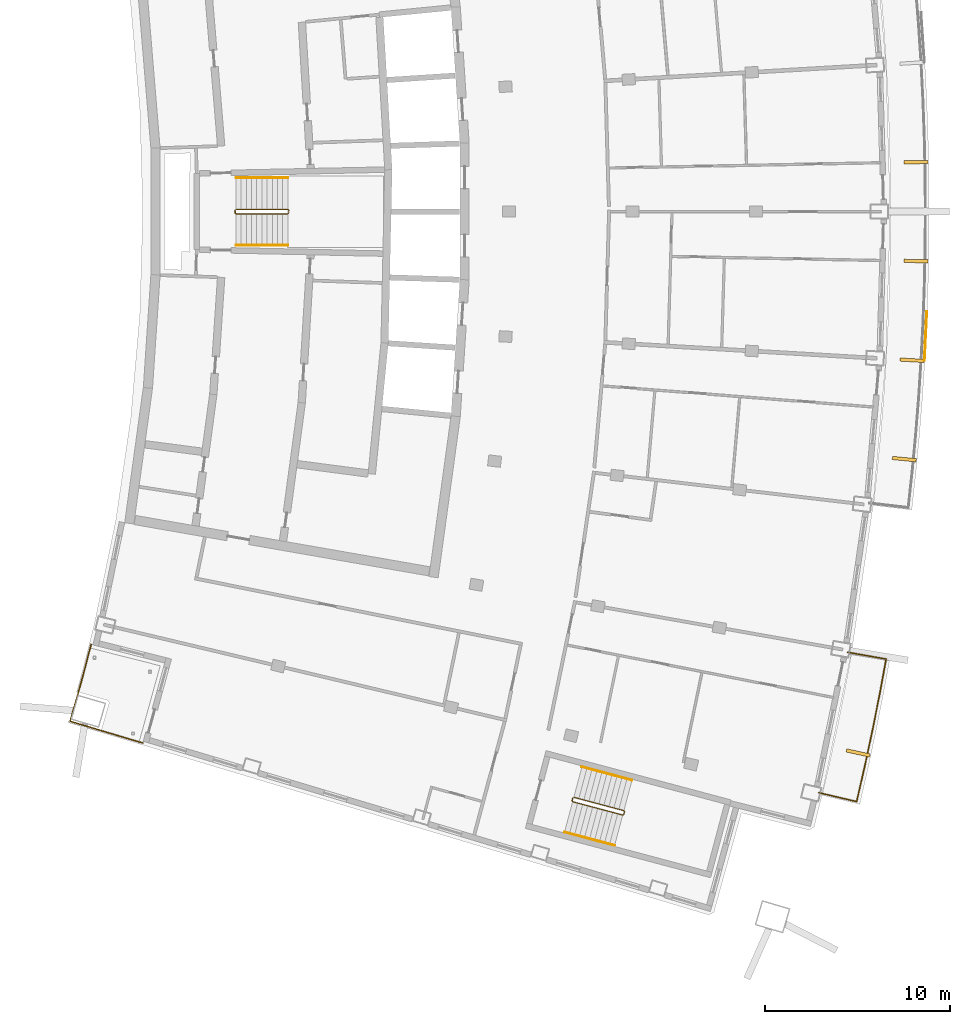
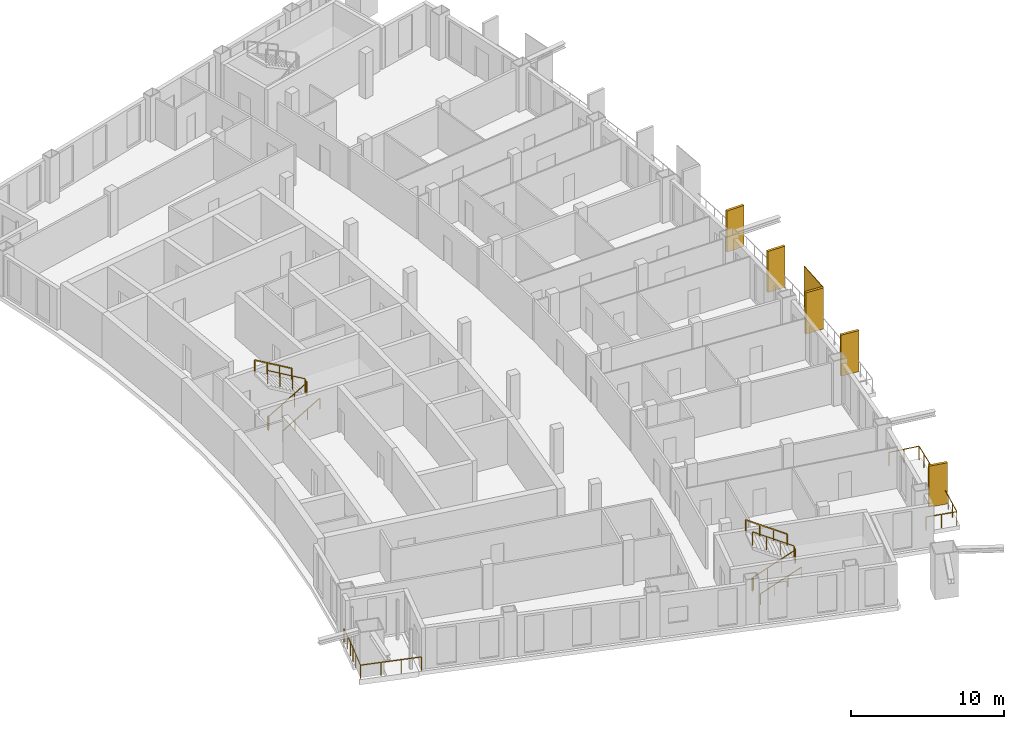
# One storey, part 13 of 15: 8 railings, 6 shading devices.
"""IFC4 building model written with IfcOpenShell, lengths in metres."""

from ifc_helpers import new_model, si_unit, direction, frame, origin, origin_with_axes, origin_2d, place, context, subcontext, project, spatial, rectangle, extrude, material, layer, layer_set, type_object, element, save


model = new_model("IFC4")

# Units and contexts
model_context = context("Model", 3, precision=1e-05, world=origin(), true_north=direction((0.0, 1.0)))
body_context = subcontext(model_context, "Body", "Model", "MODEL_VIEW")
ifc_project = project(units=[si_unit("LENGTHUNIT", "METRE"), si_unit("AREAUNIT", "SQUARE_METRE"), si_unit("VOLUMEUNIT", "CUBIC_METRE"), si_unit("PLANEANGLEUNIT", "RADIAN"), si_unit("MASSUNIT", "GRAM", prefix="KILO")], contexts=[model_context])

# Site, building, storey
site_placement = place(None, origin())
site = spatial("IfcSite", under=ifc_project, at=site_placement, CompositionType="ELEMENT")
building_placement = place(site_placement, origin())
building = spatial("IfcBuilding", under=site, at=building_placement, Name="Alderwake Tower", CompositionType="ELEMENT")
storey_placement = place(building_placement, frame((0.0, 0.0, 285.199951171875)))
storey = spatial("IfcBuildingStorey", under=building, at=storey_placement, Name="L71", CompositionType="ELEMENT", Elevation=285.199951171875)

# Railings
ifc_material_1 = material(Name="Stainless steel 316 rail and posts", Category="steel")
railing_type_1 = type_object("IfcRailingType", Name="Balcony guard 1100", PredefinedType="GUARDRAIL", material=ifc_material_1)
railing_1_placement = place(storey_placement, frame((52.531982421875, 29.603515625, 0.0)))
element("IfcRailing", 1, at=railing_1_placement, inside=storey, type_object=railing_type_1, Name="Guard BF03", PredefinedType="GUARDRAIL", context=body_context, shape_type="SweptSolid", body=[
    extrude(rectangle(XDim=0.048095703125, YDim=0.048095703125, at=origin_2d()), frame((0.0, 0.0, 1.076171875), z_axis=(0.973057638874, -0.230561990427, 0.0), x_axis=(0.230561990427, 0.973057638874, 0.0)), (0.0, 0.0, 1.0), 2.099853515625),
    extrude(rectangle(XDim=0.048095703125, YDim=0.048095703125, at=origin_2d()), frame((2.043212890625, -0.484130859375, 1.076171875), z_axis=(0.223789603838, 0.974637477842, 0.0), x_axis=(-0.974637477842, 0.223789603838, 0.0)), (0.0, 0.0, 1.0), 1.916748046875),
    extrude(rectangle(XDim=0.048095703125, YDim=0.048095703125, at=origin_2d()), frame((2.47216796875, 1.384033203125, 1.076171875), z_axis=(0.20990108156, 0.977722627313, 0.0), x_axis=(-0.977722627313, 0.20990108156, 0.0)), (0.0, 0.0, 1.0), 2.016845703125),
    extrude(rectangle(XDim=0.048095703125, YDim=0.048095703125, at=origin_2d()), frame((2.8955078125, 3.35595703125, 1.076171875), z_axis=(0.195604007271, 0.980682962195, 0.0), x_axis=(-0.980682962195, 0.195604007271, 0.0)), (0.0, 0.0, 1.0), 2.01708984375),
    extrude(rectangle(XDim=0.048095703125, YDim=0.048095703125, at=origin_2d()), frame((3.2900390625, 5.333984375, 1.076171875), z_axis=(0.181619483168, 0.983368884668, 0.0), x_axis=(-0.983368884668, 0.181619483168, 0.0)), (0.0, 0.0, 1.0), 1.9169921875),
    extrude(rectangle(XDim=0.048095703125, YDim=0.048095703125, at=origin_2d()), frame((3.63818359375, 7.218994140625, 1.076171875), z_axis=(-0.984614556243, 0.174740309131, 0.0), x_axis=(-0.174740309131, -0.984614556243, 0.0)), (0.0, 0.0, 1.0), 2.099853515625),
    extrude(rectangle(XDim=0.0419921875, YDim=0.0419921875, at=origin_2d()), frame((0.0, 0.0, 0.0), z_axis=(0.0, 0.0, 1.0), x_axis=(0.973057638874, -0.230561990427, 0.0)), (0.0, 0.0, 1.0), 1.052001953125),
    extrude(rectangle(XDim=0.0419921875, YDim=0.0419921875, at=origin_2d()), frame((1.021484375, -0.2421875, 0.0), z_axis=(0.0, 0.0, 1.0), x_axis=(0.973057638874, -0.230561990427, 0.0)), (0.0, 0.0, 1.0), 1.052001953125),
    extrude(rectangle(XDim=0.0419921875, YDim=0.0419921875, at=origin_2d()), frame((2.043212890625, -0.484130859375, 0.0), z_axis=(0.0, 0.0, 1.0), x_axis=(0.223789603838, 0.974637477842, 0.0)), (0.0, 0.0, 1.0), 1.052001953125),
    extrude(rectangle(XDim=0.0419921875, YDim=0.0419921875, at=origin_2d()), frame((2.2578125, 0.449951171875, 0.0), z_axis=(0.0, 0.0, 1.0), x_axis=(0.223789603838, 0.974637477842, 0.0)), (0.0, 0.0, 1.0), 1.052001953125),
    extrude(rectangle(XDim=0.0419921875, YDim=0.0419921875, at=origin_2d()), frame((2.47216796875, 1.384033203125, 0.0), z_axis=(0.0, 0.0, 1.0), x_axis=(0.20990108156, 0.977722627313, 0.0)), (0.0, 0.0, 1.0), 1.052001953125),
    extrude(rectangle(XDim=0.0419921875, YDim=0.0419921875, at=origin_2d()), frame((2.683837890625, 2.3701171875, 0.0), z_axis=(0.0, 0.0, 1.0), x_axis=(0.20990108156, 0.977722627313, 0.0)), (0.0, 0.0, 1.0), 1.052001953125),
    extrude(rectangle(XDim=0.0419921875, YDim=0.0419921875, at=origin_2d()), frame((2.8955078125, 3.35595703125, 0.0), z_axis=(0.0, 0.0, 1.0), x_axis=(0.195604007271, 0.980682962195, 0.0)), (0.0, 0.0, 1.0), 1.052001953125),
    extrude(rectangle(XDim=0.0419921875, YDim=0.0419921875, at=origin_2d()), frame((3.0927734375, 4.344970703125, 0.0), z_axis=(0.0, 0.0, 1.0), x_axis=(0.195604007271, 0.980682962195, 0.0)), (0.0, 0.0, 1.0), 1.052001953125),
    extrude(rectangle(XDim=0.0419921875, YDim=0.0419921875, at=origin_2d()), frame((3.2900390625, 5.333984375, 0.0), z_axis=(0.0, 0.0, 1.0), x_axis=(0.181619483168, 0.983368884668, 0.0)), (0.0, 0.0, 1.0), 1.052001953125),
    extrude(rectangle(XDim=0.0419921875, YDim=0.0419921875, at=origin_2d()), frame((3.464111328125, 6.2763671875, 0.0), z_axis=(0.0, 0.0, 1.0), x_axis=(0.181619483168, 0.983368884668, 0.0)), (0.0, 0.0, 1.0), 1.052001953125),
    extrude(rectangle(XDim=0.0419921875, YDim=0.0419921875, at=origin_2d()), frame((3.63818359375, 7.218994140625, 0.0), z_axis=(0.0, 0.0, 1.0), x_axis=(-0.984614556243, 0.174740309131, 0.0)), (0.0, 0.0, 1.0), 1.052001953125),
    extrude(rectangle(XDim=0.0419921875, YDim=0.0419921875, at=origin_2d()), frame((2.6044921875, 7.40234375, 0.0), z_axis=(0.0, 0.0, 1.0), x_axis=(-0.984614556243, 0.174740309131, 0.0)), (0.0, 0.0, 1.0), 1.052001953125),
    extrude(rectangle(XDim=0.0419921875, YDim=0.0419921875, at=origin_2d()), frame((1.570556640625, 7.5859375, 0.0), z_axis=(0.0, 0.0, 1.0), x_axis=(-0.984614556243, 0.174740309131, 0.0)), (0.0, 0.0, 1.0), 1.052001953125),
])
railing_2_placement = place(storey_placement, frame((13.210693359375, 37.612548828125, 0.0)))
element("IfcRailing", 2, at=railing_2_placement, inside=storey, type_object=railing_type_1, Name="Guard terrace RS", PredefinedType="GUARDRAIL", context=body_context, shape_type="SweptSolid", body=[
    extrude(rectangle(XDim=0.048095703125, YDim=0.048095703125, at=origin_2d()), frame((0.0, 0.0, 1.076171875), z_axis=(-0.251385381433, -0.967887075026, 0.0), x_axis=(0.967887075026, -0.251385381433, 0.0)), (0.0, 0.0, 1.0), 1.6015625),
    extrude(rectangle(XDim=0.048095703125, YDim=0.048095703125, at=origin_2d()), frame((-0.402587890625, -1.550048828125, 1.076171875), z_axis=(-0.266520638672, -0.963829211615, 0.0), x_axis=(0.963829211615, -0.266520638672, 0.0)), (0.0, 0.0, 1.0), 1.401611328125),
    extrude(rectangle(XDim=0.048095703125, YDim=0.048095703125, at=origin_2d()), frame((-0.776123046875, -2.90087890625, 1.076171875), z_axis=(-0.280093650878, -0.959972680204, 0.0), x_axis=(0.959972680204, -0.280093650878, 0.0)), (0.0, 0.0, 1.0), 1.30126953125),
    extrude(rectangle(XDim=0.048095703125, YDim=0.048095703125, at=origin_2d()), frame((-1.140625, -4.150146484375, 1.076171875), z_axis=(0.958066871889, -0.286544706789, 0.0), x_axis=(0.286544706789, 0.958066871889, 0.0)), (0.0, 0.0, 1.0), 4.099853515625),
    extrude(rectangle(XDim=0.0419921875, YDim=0.0419921875, at=origin_2d()), frame((0.0, 0.0, 0.0), z_axis=(0.0, 0.0, 1.0), x_axis=(-0.251385381433, -0.967887075026, 0.0)), (0.0, 0.0, 1.0), 1.052001953125),
    extrude(rectangle(XDim=0.0419921875, YDim=0.0419921875, at=origin_2d()), frame((-0.201171875, -0.77490234375, 0.0), z_axis=(0.0, 0.0, 1.0), x_axis=(-0.251385381433, -0.967887075026, 0.0)), (0.0, 0.0, 1.0), 1.052001953125),
    extrude(rectangle(XDim=0.0419921875, YDim=0.0419921875, at=origin_2d()), frame((-0.402587890625, -1.550048828125, 0.0), z_axis=(0.0, 0.0, 1.0), x_axis=(-0.266520638672, -0.963829211615, 0.0)), (0.0, 0.0, 1.0), 1.052001953125),
    extrude(rectangle(XDim=0.0419921875, YDim=0.0419921875, at=origin_2d()), frame((-0.58935546875, -2.2255859375, 0.0), z_axis=(0.0, 0.0, 1.0), x_axis=(-0.266520638672, -0.963829211615, 0.0)), (0.0, 0.0, 1.0), 1.052001953125),
    extrude(rectangle(XDim=0.0419921875, YDim=0.0419921875, at=origin_2d()), frame((-0.776123046875, -2.90087890625, 0.0), z_axis=(0.0, 0.0, 1.0), x_axis=(-0.280093650878, -0.959972680204, 0.0)), (0.0, 0.0, 1.0), 1.052001953125),
    extrude(rectangle(XDim=0.0419921875, YDim=0.0419921875, at=origin_2d()), frame((-1.140625, -4.150146484375, 0.0), z_axis=(0.0, 0.0, 1.0), x_axis=(0.958066871889, -0.286544706789, 0.0)), (0.0, 0.0, 1.0), 1.052001953125),
    extrude(rectangle(XDim=0.0419921875, YDim=0.0419921875, at=origin_2d()), frame((0.168701171875, -4.541748046875, 0.0), z_axis=(0.0, 0.0, 1.0), x_axis=(0.958066871889, -0.286544706789, 0.0)), (0.0, 0.0, 1.0), 1.052001953125),
    extrude(rectangle(XDim=0.0419921875, YDim=0.0419921875, at=origin_2d()), frame((1.47802734375, -4.933349609375, 0.0), z_axis=(0.0, 0.0, 1.0), x_axis=(0.958066871889, -0.286544706789, 0.0)), (0.0, 0.0, 1.0), 1.052001953125),
    extrude(rectangle(XDim=0.0419921875, YDim=0.0419921875, at=origin_2d()), frame((2.787353515625, -5.324951171875, 0.0), z_axis=(0.0, 0.0, 1.0), x_axis=(0.958066871889, -0.286544706789, 0.0)), (0.0, 0.0, 1.0), 1.052001953125),
])

# Shading devices
ifc_material_2 = material(Name="Bronze anodised aluminium", Category="aluminium")
ifc_layer_1 = layer(ifc_material_2, 0.179931640625)
ifc_layer_set_1 = layer_set([ifc_layer_1], Name="Facade fin 1300")
shading_device_type_1 = type_object("IfcShadingDeviceType", Name="Facade fin 1300", PredefinedType="USERDEFINED", material=ifc_layer_set_1)
for number, where, z_axis, x_axis, name in (
    (3, (54.65966796875, 31.748779296875, 0.0), (0.0, 0.0, 1.0), (0.977210363881, -0.212273184185, 0.0), "Fin"),
    (4, (57.149658203125, 47.626953125, 0.0), (0.0, 0.0, 1.0), (0.995279882363, -0.097046152751, 0.0), "Fin"),
    (5, (57.56591796875, 52.970703125, 0.0), (0.0, 0.0, 1.0), (0.998301080988, -0.058266214038, 0.0), "Fin"),
    (6, (57.774169921875, 58.326904296875, 0.0), (0.0, 0.0, 1.0), (0.999811838809, -0.019398117887, 0.0), "Fin"),
    (7, (57.774169921875, 63.673095703125, 0.0), (0.0, 0.0, 1.0), (0.999811838809, 0.019398117887, 0.0), "Fin"),
):
    element("IfcShadingDevice", number, at=place(storey_placement, frame(where, z_axis=z_axis, x_axis=x_axis)), inside=storey, type_object=shading_device_type_1, Name=name, ObjectType="FIN", PredefinedType="USERDEFINED", context=body_context, shape_type="SweptSolid", body=[
        extrude(rectangle(XDim=1.300048828125, YDim=0.179931640625, at=origin_2d()), origin(), (0.0, 0.0, 1.0), 3.280029296875),
    ])
ifc_material_3 = material(Name="Perforated bronze anodised aluminium", Category="aluminium")
ifc_layer_2 = layer(ifc_material_3, 0.050048828125)
ifc_layer_set_2 = layer_set([ifc_layer_2], Name="Perforated screen panel")
shading_device_type_2 = type_object("IfcShadingDeviceType", Name="Perforated screen panel", PredefinedType="USERDEFINED", material=ifc_layer_set_2)
shading_device_placement = place(storey_placement, frame((58.304931640625, 54.273193359375, 0.0), z_axis=(0.0, 0.0, 1.0), x_axis=(0.998819231138, -0.048581308217, 0.0)))
element("IfcShadingDevice", 8, at=shading_device_placement, inside=storey, type_object=shading_device_type_2, Name="Screen panel", ObjectType="SCREEN", PredefinedType="USERDEFINED", context=body_context, shape_type="SweptSolid", body=[
    extrude(rectangle(XDim=0.050048828125, YDim=2.686279296875, at=origin_2d()), origin(), (0.0, 0.0, 1.0), 3.280029296875),
])

# Railings
ifc_material_4 = material(Name="Stainless steel guard", Category="steel")
railing_type_2 = type_object("IfcRailingType", Name="Stair guard 1100", PredefinedType="GUARDRAIL", material=ifc_material_4)
railing_3_placement = place(storey_placement, frame((20.989990234375, 60.925048828125, 0.0)))
element("IfcRailing", 9, at=railing_3_placement, inside=storey, type_object=railing_type_2, Name="L71 ST-B stair guard 1", PredefinedType="GUARDRAIL", context=body_context, shape_type="SweptSolid", body=[
    extrude(rectangle(XDim=0.048095703125, YDim=0.048095703125, at=origin_2d()), frame((0.0, 0.0, 1.076171875), z_axis=(0.0, 1.0, 0.0), x_axis=(-1.0, 0.0, 0.0)), (0.0, 0.0, 1.0), 0.14990234375),
    extrude(rectangle(XDim=0.048095703125, YDim=0.048095703125, at=origin_2d()), frame((0.0, 0.14990234375, 1.076171875), z_axis=(0.190199549216, -0.759870394187, 0.621627795), x_axis=(0.970072785993, 0.242814311512, 0.0)), (0.0, 0.0, 1.0), 0.26318359375),
    extrude(rectangle(XDim=0.048095703125, YDim=0.048095703125, at=origin_2d()), frame((0.050048828125, -0.050048828125, 1.23974609375), z_axis=(0.863360870873, 0.0, 0.504586966384), x_axis=(0.0, 1.0, 0.0)), (0.0, 0.0, 1.0), 3.2431640625),
    extrude(rectangle(XDim=0.048095703125, YDim=0.048095703125, at=origin_2d()), frame((2.85009765625, -0.050048828125, 2.8759765625), z_axis=(0.705375805398, 0.708833529934, 0.0), x_axis=(-0.708833529934, 0.705375805398, 0.0)), (0.0, 0.0, 1.0), 0.070556640625),
    extrude(rectangle(XDim=0.048095703125, YDim=0.048095703125, at=origin_2d()), frame((2.89990234375, 0.0, 2.8759765625), z_axis=(0.0, 1.0, 0.0), x_axis=(-1.0, 0.0, 0.0)), (0.0, 0.0, 1.0), 0.14990234375),
    extrude(rectangle(XDim=0.048095703125, YDim=0.048095703125, at=origin_2d()), frame((2.89990234375, 0.14990234375, 2.8759765625), z_axis=(-0.279546231943, 0.280916556609, 0.91811752648), x_axis=(-0.708833529934, -0.705375805398, 0.0)), (0.0, 0.0, 1.0), 0.17822265625),
    extrude(rectangle(XDim=0.048095703125, YDim=0.048095703125, at=origin_2d()), frame((2.85009765625, 0.199951171875, 3.03955078125), z_axis=(-0.863360870873, 0.0, 0.504586966384), x_axis=(0.0, -1.0, 0.0)), (0.0, 0.0, 1.0), 3.2431640625),
    extrude(rectangle(XDim=0.0419921875, YDim=0.0419921875, at=origin_2d()), frame((0.0, 0.0, 0.0), z_axis=(0.0, 0.0, 1.0), x_axis=(0.0, 1.0, 0.0)), (0.0, 0.0, 1.0), 1.052001953125),
    extrude(rectangle(XDim=0.0419921875, YDim=0.0419921875, at=origin_2d()), frame((0.0, 0.14990234375, 0.0), z_axis=(0.0, 0.0, 1.0), x_axis=(0.242814311512, -0.970072785993, 0.0)), (0.0, 0.0, 1.0), 1.052001953125),
    extrude(rectangle(XDim=0.0419921875, YDim=0.0419921875, at=origin_2d()), frame((0.050048828125, -0.050048828125, 0.16357421875), z_axis=(0.0, 0.0, 1.0), x_axis=(1.0, 0.0, 0.0)), (0.0, 0.0, 1.0), 1.052001953125),
    extrude(rectangle(XDim=0.0419921875, YDim=0.0419921875, at=origin_2d()), frame((0.9833984375, -0.050048828125, 0.708984375), z_axis=(0.0, 0.0, 1.0), x_axis=(1.0, 0.0, 0.0)), (0.0, 0.0, 1.0), 1.052001953125),
    extrude(rectangle(XDim=0.0419921875, YDim=0.0419921875, at=origin_2d()), frame((1.916748046875, -0.050048828125, 1.254638671875), z_axis=(0.0, 0.0, 1.0), x_axis=(1.0, 0.0, 0.0)), (0.0, 0.0, 1.0), 1.052001953125),
    extrude(rectangle(XDim=0.0419921875, YDim=0.0419921875, at=origin_2d()), frame((2.85009765625, -0.050048828125, 1.800048828125), z_axis=(0.0, 0.0, 1.0), x_axis=(0.705375805398, 0.708833529934, 0.0)), (0.0, 0.0, 1.0), 1.052001953125),
    extrude(rectangle(XDim=0.0419921875, YDim=0.0419921875, at=origin_2d()), frame((2.89990234375, 0.0, 1.800048828125), z_axis=(0.0, 0.0, 1.0), x_axis=(0.0, 1.0, 0.0)), (0.0, 0.0, 1.0), 1.052001953125),
    extrude(rectangle(XDim=0.0419921875, YDim=0.0419921875, at=origin_2d()), frame((2.89990234375, 0.14990234375, 1.800048828125), z_axis=(0.0, 0.0, 1.0), x_axis=(-0.705375805398, 0.708833529934, 0.0)), (0.0, 0.0, 1.0), 1.052001953125),
    extrude(rectangle(XDim=0.0419921875, YDim=0.0419921875, at=origin_2d()), frame((2.85009765625, 0.199951171875, 1.963623046875), z_axis=(0.0, 0.0, 1.0), x_axis=(-1.0, 0.0, 0.0)), (0.0, 0.0, 1.0), 1.052001953125),
    extrude(rectangle(XDim=0.0419921875, YDim=0.0419921875, at=origin_2d()), frame((1.916748046875, 0.199951171875, 2.509033203125), z_axis=(0.0, 0.0, 1.0), x_axis=(-1.0, 0.0, 0.0)), (0.0, 0.0, 1.0), 1.052001953125),
    extrude(rectangle(XDim=0.0419921875, YDim=0.0419921875, at=origin_2d()), frame((0.9833984375, 0.199951171875, 3.0546875), z_axis=(0.0, 0.0, 1.0), x_axis=(-1.0, 0.0, 0.0)), (0.0, 0.0, 1.0), 1.052001953125),
    extrude(rectangle(XDim=0.0419921875, YDim=0.0419921875, at=origin_2d()), frame((0.050048828125, 0.199951171875, 3.60009765625), z_axis=(0.0, 0.0, 1.0), x_axis=(-1.0, 0.0, 0.0)), (0.0, 0.0, 1.0), 1.052001953125),
])
railing_4_placement = place(storey_placement, frame((39.1943359375, 29.17431640625, 0.0)))
element("IfcRailing", 10, at=railing_4_placement, inside=storey, type_object=railing_type_2, Name="L71 ST-C stair guard 1", PredefinedType="GUARDRAIL", context=body_context, shape_type="SweptSolid", body=[
    extrude(rectangle(XDim=0.048095703125, YDim=0.048095703125, at=origin_2d()), frame((0.0, 0.0, 1.076171875), z_axis=(0.257459803502, 0.966289009345, 0.0), x_axis=(-0.966289009345, 0.257459803502, 0.0)), (0.0, 0.0, 1.0), 0.14990234375),
    extrude(rectangle(XDim=0.048095703125, YDim=0.048095703125, at=origin_2d()), frame((0.03857421875, 0.144775390625, 1.076171875), z_axis=(-0.012062893862, -0.783160186125, 0.621702991355), x_axis=(0.999881397308, -0.015401016783, 0.0)), (0.0, 0.0, 1.0), 0.26318359375),
    extrude(rectangle(XDim=0.048095703125, YDim=0.048095703125, at=origin_2d()), frame((0.035400390625, -0.061279296875, 1.23974609375), z_axis=(0.834281824786, -0.222214197128, 0.504573768072), x_axis=(0.257380452725, 0.966310148221, 0.0)), (0.0, 0.0, 1.0), 3.2431640625),
    extrude(rectangle(XDim=0.048095703125, YDim=0.048095703125, at=origin_2d()), frame((2.7412109375, -0.781982421875, 2.8759765625), z_axis=(0.865031189262, 0.501718089772, 0.0), x_axis=(-0.501718089772, 0.865031189262, 0.0)), (0.0, 0.0, 1.0), 0.070556640625),
    extrude(rectangle(XDim=0.048095703125, YDim=0.048095703125, at=origin_2d()), frame((2.80224609375, -0.74658203125, 2.8759765625), z_axis=(0.257055032184, 0.966396766566, 0.0), x_axis=(-0.966396766566, 0.257055032184, 0.0)), (0.0, 0.0, 1.0), 0.150146484375),
    extrude(rectangle(XDim=0.048095703125, YDim=0.048095703125, at=origin_2d()), frame((2.8408203125, -0.6015625, 2.8759765625), z_axis=(-0.198625291617, 0.343827228937, 0.91778583023), x_axis=(-0.865898279276, -0.500220121494, 0.0)), (0.0, 0.0, 1.0), 0.17822265625),
    extrude(rectangle(XDim=0.048095703125, YDim=0.048095703125, at=origin_2d()), frame((2.805419921875, -0.540283203125, 3.03955078125), z_axis=(-0.834258940753, 0.22222815314, 0.504605457487), x_axis=(-0.257402139082, -0.966304371715, 0.0)), (0.0, 0.0, 1.0), 3.2431640625),
    extrude(rectangle(XDim=0.0419921875, YDim=0.0419921875, at=origin_2d()), frame((0.0, 0.0, 0.0), z_axis=(0.0, 0.0, 1.0), x_axis=(0.257459803502, 0.966289009345, 0.0)), (0.0, 0.0, 1.0), 1.052001953125),
    extrude(rectangle(XDim=0.0419921875, YDim=0.0419921875, at=origin_2d()), frame((0.03857421875, 0.144775390625, 0.0), z_axis=(0.0, 0.0, 1.0), x_axis=(-0.015401016783, -0.999881397308, 0.0)), (0.0, 0.0, 1.0), 1.052001953125),
    extrude(rectangle(XDim=0.0419921875, YDim=0.0419921875, at=origin_2d()), frame((0.035400390625, -0.061279296875, 0.16357421875), z_axis=(0.0, 0.0, 1.0), x_axis=(0.966310148221, -0.257380452725, 0.0)), (0.0, 0.0, 1.0), 1.052001953125),
    extrude(rectangle(XDim=0.0419921875, YDim=0.0419921875, at=origin_2d()), frame((0.937255859375, -0.301513671875, 0.708984375), z_axis=(0.0, 0.0, 1.0), x_axis=(0.966310148221, -0.257380452725, 0.0)), (0.0, 0.0, 1.0), 1.052001953125),
    extrude(rectangle(XDim=0.0419921875, YDim=0.0419921875, at=origin_2d()), frame((1.83935546875, -0.541748046875, 1.254638671875), z_axis=(0.0, 0.0, 1.0), x_axis=(0.966310148221, -0.257380452725, 0.0)), (0.0, 0.0, 1.0), 1.052001953125),
    extrude(rectangle(XDim=0.0419921875, YDim=0.0419921875, at=origin_2d()), frame((2.7412109375, -0.781982421875, 1.800048828125), z_axis=(0.0, 0.0, 1.0), x_axis=(0.865031189262, 0.501718089772, 0.0)), (0.0, 0.0, 1.0), 1.052001953125),
    extrude(rectangle(XDim=0.0419921875, YDim=0.0419921875, at=origin_2d()), frame((2.80224609375, -0.74658203125, 1.800048828125), z_axis=(0.0, 0.0, 1.0), x_axis=(0.257055032184, 0.966396766566, 0.0)), (0.0, 0.0, 1.0), 1.052001953125),
    extrude(rectangle(XDim=0.0419921875, YDim=0.0419921875, at=origin_2d()), frame((2.8408203125, -0.6015625, 1.800048828125), z_axis=(0.0, 0.0, 1.0), x_axis=(-0.500220121494, 0.865898279276, 0.0)), (0.0, 0.0, 1.0), 1.052001953125),
    extrude(rectangle(XDim=0.0419921875, YDim=0.0419921875, at=origin_2d()), frame((2.805419921875, -0.540283203125, 1.963623046875), z_axis=(0.0, 0.0, 1.0), x_axis=(-0.966304371715, 0.257402139082, 0.0)), (0.0, 0.0, 1.0), 1.052001953125),
    extrude(rectangle(XDim=0.0419921875, YDim=0.0419921875, at=origin_2d()), frame((1.903564453125, -0.300048828125, 2.509033203125), z_axis=(0.0, 0.0, 1.0), x_axis=(-0.966304371715, 0.257402139082, 0.0)), (0.0, 0.0, 1.0), 1.052001953125),
    extrude(rectangle(XDim=0.0419921875, YDim=0.0419921875, at=origin_2d()), frame((1.001708984375, -0.059814453125, 3.0546875), z_axis=(0.0, 0.0, 1.0), x_axis=(-0.966304371715, 0.257402139082, 0.0)), (0.0, 0.0, 1.0), 1.052001953125),
    extrude(rectangle(XDim=0.0419921875, YDim=0.0419921875, at=origin_2d()), frame((0.099853515625, 0.180419921875, 3.60009765625), z_axis=(0.0, 0.0, 1.0), x_axis=(-0.966304371715, 0.257402139082, 0.0)), (0.0, 0.0, 1.0), 1.052001953125),
])
ifc_material_5 = material(Name="Stainless steel handrail", Category="steel")
railing_type_3 = type_object("IfcRailingType", Name="Stair handrail 900", PredefinedType="HANDRAIL", material=ifc_material_5)
railing_5_placement = place(storey_placement, frame((21.0400390625, 59.175048828125, 0.16357421875)))
element("IfcRailing", 11, at=railing_5_placement, inside=storey, type_object=railing_type_3, Name="L71 ST-B stair handrail 1", PredefinedType="HANDRAIL", context=body_context, shape_type="SweptSolid", body=[
    extrude(rectangle(XDim=0.048095703125, YDim=0.048095703125, at=origin_2d()), frame((0.0, 0.0, 0.8759765625), z_axis=(0.863360870873, 0.0, 0.504586966384), x_axis=(0.0, 1.0, 0.0)), (0.0, 0.0, 1.0), 3.2431640625),
    extrude(rectangle(XDim=0.0419921875, YDim=0.0419921875, at=origin_2d()), origin_with_axes(), (0.0, 0.0, 1.0), 0.851806640625),
    extrude(rectangle(XDim=0.0419921875, YDim=0.0419921875, at=origin_2d()), frame((0.933349609375, 0.0, 0.54541015625), z_axis=(0.0, 0.0, 1.0), x_axis=(1.0, 0.0, 0.0)), (0.0, 0.0, 1.0), 0.851806640625),
    extrude(rectangle(XDim=0.0419921875, YDim=0.0419921875, at=origin_2d()), frame((1.86669921875, 0.0, 1.091064453125), z_axis=(0.0, 0.0, 1.0), x_axis=(1.0, 0.0, 0.0)), (0.0, 0.0, 1.0), 0.851806640625),
    extrude(rectangle(XDim=0.0419921875, YDim=0.0419921875, at=origin_2d()), frame((2.800048828125, 0.0, 1.636474609375), z_axis=(0.0, 0.0, 1.0), x_axis=(1.0, 0.0, 0.0)), (0.0, 0.0, 1.0), 0.851806640625),
])
railing_6_placement = place(storey_placement, frame((23.840087890625, 62.824951171875, 1.963623046875)))
element("IfcRailing", 12, at=railing_6_placement, inside=storey, type_object=railing_type_3, Name="L71 ST-B stair handrail 2", PredefinedType="HANDRAIL", context=body_context, shape_type="SweptSolid", body=[
    extrude(rectangle(XDim=0.048095703125, YDim=0.048095703125, at=origin_2d()), frame((0.0, 0.0, 0.8759765625), z_axis=(-0.863360870873, 0.0, 0.504586966384), x_axis=(0.0, -1.0, 0.0)), (0.0, 0.0, 1.0), 3.2431640625),
    extrude(rectangle(XDim=0.0419921875, YDim=0.0419921875, at=origin_2d()), frame((0.0, 0.0, 0.0), z_axis=(0.0, 0.0, 1.0), x_axis=(-1.0, 0.0, 0.0)), (0.0, 0.0, 1.0), 0.851806640625),
    extrude(rectangle(XDim=0.0419921875, YDim=0.0419921875, at=origin_2d()), frame((-0.933349609375, 0.0, 0.54541015625), z_axis=(0.0, 0.0, 1.0), x_axis=(-1.0, 0.0, 0.0)), (0.0, 0.0, 1.0), 0.851806640625),
    extrude(rectangle(XDim=0.0419921875, YDim=0.0419921875, at=origin_2d()), frame((-1.86669921875, 0.0, 1.091064453125), z_axis=(0.0, 0.0, 1.0), x_axis=(-1.0, 0.0, 0.0)), (0.0, 0.0, 1.0), 0.851806640625),
    extrude(rectangle(XDim=0.0419921875, YDim=0.0419921875, at=origin_2d()), frame((-2.800048828125, 0.0, 1.636474609375), z_axis=(0.0, 0.0, 1.0), x_axis=(-1.0, 0.0, 0.0)), (0.0, 0.0, 1.0), 0.851806640625),
])
railing_7_placement = place(storey_placement, frame((38.792236328125, 27.47021484375, 0.16357421875)))
element("IfcRailing", 13, at=railing_7_placement, inside=storey, type_object=railing_type_3, Name="L71 ST-C stair handrail 1", PredefinedType="HANDRAIL", context=body_context, shape_type="SweptSolid", body=[
    extrude(rectangle(XDim=0.048095703125, YDim=0.048095703125, at=origin_2d()), frame((0.0, 0.0, 0.8759765625), z_axis=(0.834272895437, -0.222156588561, 0.504613898043), x_axis=(0.25732071773, 0.966326056891, 0.0)), (0.0, 0.0, 1.0), 3.242919921875),
    extrude(rectangle(XDim=0.0419921875, YDim=0.0419921875, at=origin_2d()), frame((0.0, 0.0, 0.0), z_axis=(0.0, 0.0, 1.0), x_axis=(0.966326056891, -0.25732071773, 0.0)), (0.0, 0.0, 1.0), 0.851806640625),
    extrude(rectangle(XDim=0.0419921875, YDim=0.0419921875, at=origin_2d()), frame((0.90185546875, -0.240234375, 0.54541015625), z_axis=(0.0, 0.0, 1.0), x_axis=(0.966326056891, -0.25732071773, 0.0)), (0.0, 0.0, 1.0), 0.851806640625),
    extrude(rectangle(XDim=0.0419921875, YDim=0.0419921875, at=origin_2d()), frame((1.8037109375, -0.480224609375, 1.091064453125), z_axis=(0.0, 0.0, 1.0), x_axis=(0.966326056891, -0.25732071773, 0.0)), (0.0, 0.0, 1.0), 0.851806640625),
    extrude(rectangle(XDim=0.0419921875, YDim=0.0419921875, at=origin_2d()), frame((2.70556640625, -0.720458984375, 1.636474609375), z_axis=(0.0, 0.0, 1.0), x_axis=(0.966326056891, -0.25732071773, 0.0)), (0.0, 0.0, 1.0), 0.851806640625),
])
railing_8_placement = place(storey_placement, frame((42.437255859375, 30.276611328125, 1.963623046875)))
element("IfcRailing", 14, at=railing_8_placement, inside=storey, type_object=railing_type_3, Name="L71 ST-C stair handrail 2", PredefinedType="HANDRAIL", context=body_context, shape_type="SweptSolid", body=[
    extrude(rectangle(XDim=0.048095703125, YDim=0.048095703125, at=origin_2d()), frame((0.0, 0.0, 0.8759765625), z_axis=(-0.834258940753, 0.22222815314, 0.504605457487), x_axis=(-0.257402139082, -0.966304371715, 0.0)), (0.0, 0.0, 1.0), 3.2431640625),
    extrude(rectangle(XDim=0.0419921875, YDim=0.0419921875, at=origin_2d()), frame((0.0, 0.0, 0.0), z_axis=(0.0, 0.0, 1.0), x_axis=(-0.966304371715, 0.257402139082, 0.0)), (0.0, 0.0, 1.0), 0.851806640625),
    extrude(rectangle(XDim=0.0419921875, YDim=0.0419921875, at=origin_2d()), frame((-0.90185546875, 0.240234375, 0.54541015625), z_axis=(0.0, 0.0, 1.0), x_axis=(-0.966304371715, 0.257402139082, 0.0)), (0.0, 0.0, 1.0), 0.851806640625),
    extrude(rectangle(XDim=0.0419921875, YDim=0.0419921875, at=origin_2d()), frame((-1.8037109375, 0.48046875, 1.091064453125), z_axis=(0.0, 0.0, 1.0), x_axis=(-0.966304371715, 0.257402139082, 0.0)), (0.0, 0.0, 1.0), 0.851806640625),
    extrude(rectangle(XDim=0.0419921875, YDim=0.0419921875, at=origin_2d()), frame((-2.70556640625, 0.720703125, 1.636474609375), z_axis=(0.0, 0.0, 1.0), x_axis=(-0.966304371715, 0.257402139082, 0.0)), (0.0, 0.0, 1.0), 0.851806640625),
])

save(model, "model.ifc")
